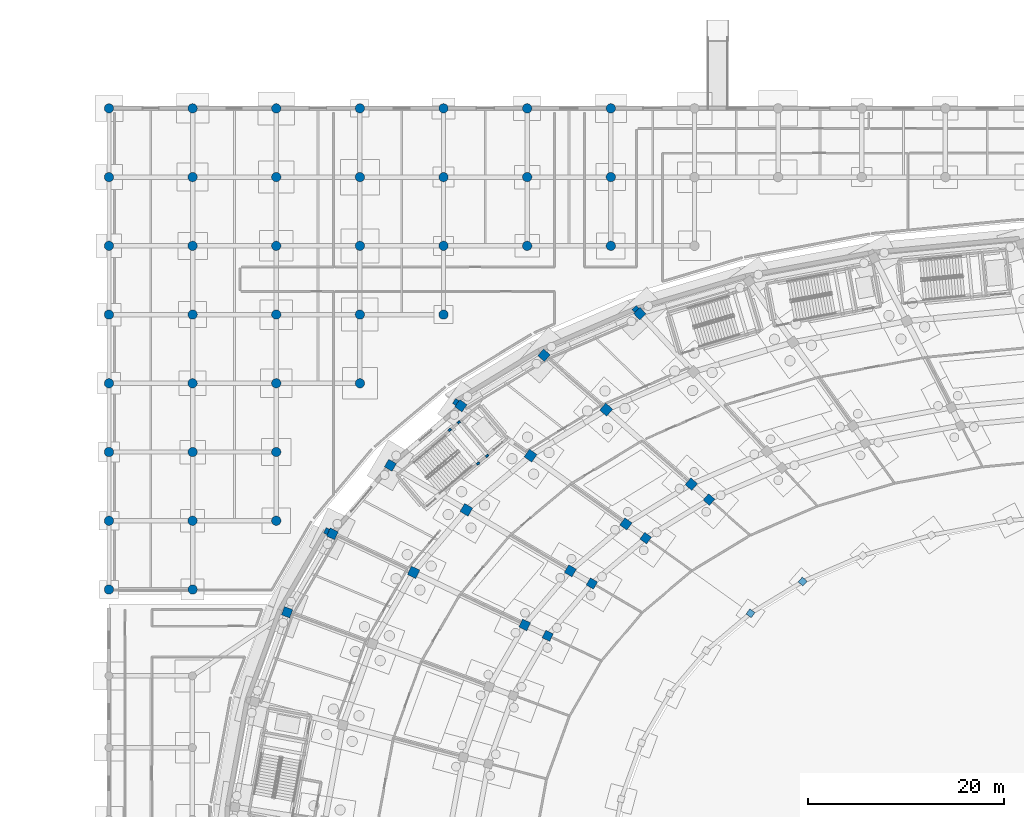
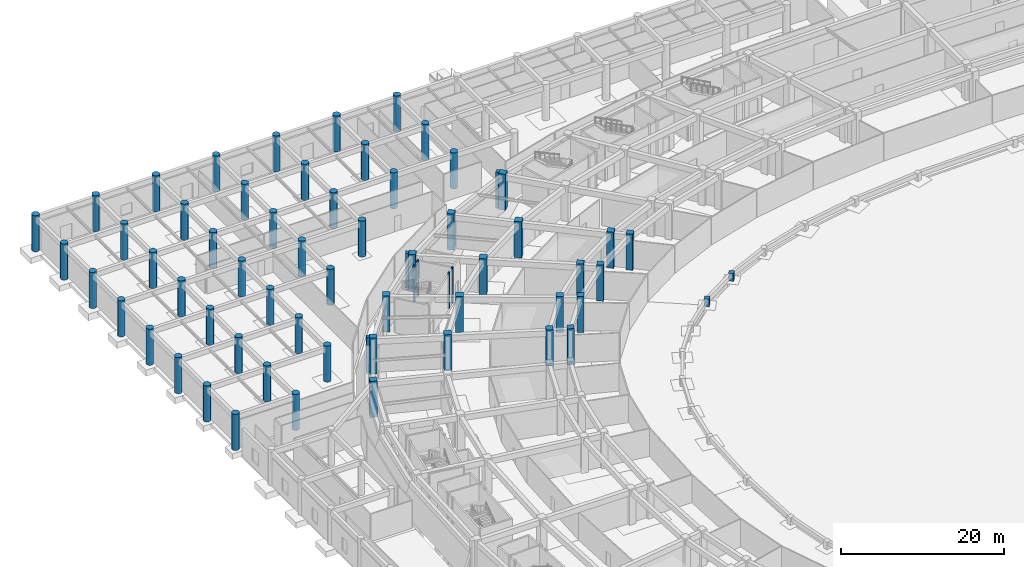
# One storey, part 21 of 88: 65 columns.
"""IFC4 building model written with IfcOpenShell, lengths in metres."""

from ifc_helpers import new_model, si_unit, direction, frame, origin, origin_2d, place, context, subcontext, project, spatial, rectangle, circle, extrude, material, material_profile, profile_set, type_object, element, save


model = new_model("IFC4")

# Units and contexts
model_context = context("Model", 3, precision=1e-05, world=origin(), true_north=direction((0.0, 1.0)))
body_context = subcontext(model_context, "Body", "Model", "MODEL_VIEW")
ifc_project = project(units=[si_unit("LENGTHUNIT", "METRE"), si_unit("AREAUNIT", "SQUARE_METRE"), si_unit("VOLUMEUNIT", "CUBIC_METRE"), si_unit("PLANEANGLEUNIT", "RADIAN"), si_unit("MASSUNIT", "GRAM", prefix="KILO")], contexts=[model_context])

# Site, building, storey
site_placement = place(None, origin())
site = spatial("IfcSite", under=ifc_project, at=site_placement, CompositionType="ELEMENT")
building_placement = place(site_placement, origin())
building = spatial("IfcBuilding", under=site, at=building_placement, Name="Mphavela Belvedere Stadium", CompositionType="ELEMENT")
storey_placement = place(building_placement, origin())
storey = spatial("IfcBuildingStorey", under=building, at=storey_placement, Name="L00", CompositionType="ELEMENT", Elevation=0.0)

# Columns
ifc_material_1 = material(Name="Concrete C40/50", Category="concrete")
ifc_material_profile_1 = material_profile(ifc_material_1, rectangle(XDim=0.300048828125, YDim=0.219970703125, at=origin_2d()), Name="RC 300x220")
ifc_profile_set_1 = profile_set([ifc_material_profile_1], Name="Concrete C40/50")
column_type_1 = type_object("IfcColumnType", Name="COL-CORE-POST-300", PredefinedType="COLUMN", material=ifc_profile_set_1)
for number, where, z_axis, x_axis, name in (
    (1, (37.5927734375, 137.838623046875, 0.0), (0.0, 0.0, 1.0), (0.764246456939, 0.644924300253, 0.0), "Core C05 stair frame column L00-1"),
    (2, (38.510009765625, 138.612548828125, 0.0), (0.0, 0.0, 1.0), (0.764246456939, 0.644924300253, 0.0), "Core C05 stair frame column L00-2"),
    (3, (35.627197265625, 142.02880859375, 0.0), (0.0, 0.0, 1.0), (0.764246456939, 0.644924300253, 0.0), "Core C05 stair frame column L00-3"),
    (4, (34.7099609375, 141.2548828125, 0.0), (0.0, 0.0, 1.0), (0.764246456939, 0.644924300253, 0.0), "Core C05 stair frame column L00-4"),
):
    element("IfcColumn", number, at=place(storey_placement, frame(where, z_axis=z_axis, x_axis=x_axis)), inside=storey, type_object=column_type_1, Name=name, PredefinedType="COLUMN", context=body_context, shape_type="SweptSolid", body=[
        extrude(rectangle(XDim=0.300048828125, YDim=0.219970703125, at=origin_2d()), origin(), (0.0, 0.0, 1.0), 5.39990234375),
    ])
ifc_material_2 = material(Name="Concrete C40/50", Category="concrete")
ifc_material_profile_2 = material_profile(ifc_material_2, circle(Radius=0.47509765625, at=origin_2d()), Name="COL D950")
ifc_profile_set_2 = profile_set([ifc_material_profile_2], Name="Concrete C40/50")
column_type_2 = type_object("IfcColumnType", Name="COL-DORIC-950", PredefinedType="COLUMN", material=ifc_profile_set_2)
for number, where, z_axis, x_axis, name in (
    (5, (0.0, 125.0, 0.0), (0.0, 0.0, 1.0), (1.0, 0.0, 0.0), "North Mast and Ceremonial End Forecourt classical column L00 1-1"),
    (6, (0.0, 132.0, 0.0), (0.0, 0.0, 1.0), (1.0, 0.0, 0.0), "North Mast and Ceremonial End Forecourt classical column L00 1-2"),
    (7, (0.0, 139.0, 0.0), (0.0, 0.0, 1.0), (1.0, 0.0, 0.0), "North Mast and Ceremonial End Forecourt classical column L00 1-3"),
    (8, (0.0, 146.0, 0.0), (0.0, 0.0, 1.0), (1.0, 0.0, 0.0), "North Mast and Ceremonial End Forecourt classical column L00 1-4"),
    (9, (0.0, 153.0, 0.0), (0.0, 0.0, 1.0), (1.0, 0.0, 0.0), "North Mast and Ceremonial End Forecourt classical column L00 1-5"),
    (10, (0.0, 160.0, 0.0), (0.0, 0.0, 1.0), (1.0, 0.0, 0.0), "North Mast and Ceremonial End Forecourt classical column L00 1-6"),
    (11, (0.0, 167.0, 0.0), (0.0, 0.0, 1.0), (1.0, 0.0, 0.0), "North Mast and Ceremonial End Forecourt classical column L00 1-7"),
    (12, (0.0, 174.0, 0.0), (0.0, 0.0, 1.0), (1.0, 0.0, 0.0), "North Mast and Ceremonial End Forecourt classical column L00 1-8"),
    (13, (8.51904296875, 125.0, 0.0), (0.0, 0.0, 1.0), (1.0, 0.0, 0.0), "North Mast and Ceremonial End Forecourt classical column L00 2-1"),
    (14, (8.51904296875, 132.0, 0.0), (0.0, 0.0, 1.0), (1.0, 0.0, 0.0), "North Mast and Ceremonial End Forecourt classical column L00 2-2"),
    (15, (8.51904296875, 139.0, 0.0), (0.0, 0.0, 1.0), (1.0, 0.0, 0.0), "North Mast and Ceremonial End Forecourt classical column L00 2-3"),
    (16, (8.51904296875, 146.0, 0.0), (0.0, 0.0, 1.0), (1.0, 0.0, 0.0), "North Mast and Ceremonial End Forecourt classical column L00 2-4"),
    (17, (8.51904296875, 153.0, 0.0), (0.0, 0.0, 1.0), (1.0, 0.0, 0.0), "North Mast and Ceremonial End Forecourt classical column L00 2-5"),
    (18, (8.51904296875, 160.0, 0.0), (0.0, 0.0, 1.0), (1.0, 0.0, 0.0), "North Mast and Ceremonial End Forecourt classical column L00 2-6"),
    (19, (8.51904296875, 167.0, 0.0), (0.0, 0.0, 1.0), (1.0, 0.0, 0.0), "North Mast and Ceremonial End Forecourt classical column L00 2-7"),
    (20, (8.51904296875, 174.0, 0.0), (0.0, 0.0, 1.0), (1.0, 0.0, 0.0), "North Mast and Ceremonial End Forecourt classical column L00 2-8"),
    (21, (17.037109375, 132.0, 0.0), (0.0, 0.0, 1.0), (1.0, 0.0, 0.0), "North Mast and Ceremonial End Forecourt classical column L00 3-2"),
    (22, (17.037109375, 139.0, 0.0), (0.0, 0.0, 1.0), (1.0, 0.0, 0.0), "North Mast and Ceremonial End Forecourt classical column L00 3-3"),
    (23, (17.037109375, 146.0, 0.0), (0.0, 0.0, 1.0), (1.0, 0.0, 0.0), "North Mast and Ceremonial End Forecourt classical column L00 3-4"),
    (24, (17.037109375, 153.0, 0.0), (0.0, 0.0, 1.0), (1.0, 0.0, 0.0), "North Mast and Ceremonial End Forecourt classical column L00 3-5"),
    (25, (17.037109375, 160.0, 0.0), (0.0, 0.0, 1.0), (1.0, 0.0, 0.0), "North Mast and Ceremonial End Forecourt classical column L00 3-6"),
    (26, (17.037109375, 167.0, 0.0), (0.0, 0.0, 1.0), (1.0, 0.0, 0.0), "North Mast and Ceremonial End Forecourt classical column L00 3-7"),
    (27, (17.037109375, 174.0, 0.0), (0.0, 0.0, 1.0), (1.0, 0.0, 0.0), "North Mast and Ceremonial End Forecourt classical column L00 3-8"),
    (28, (25.555908203125, 146.0, 0.0), (0.0, 0.0, 1.0), (1.0, 0.0, 0.0), "North Mast and Ceremonial End Forecourt classical column L00 4-4"),
    (29, (25.555908203125, 153.0, 0.0), (0.0, 0.0, 1.0), (1.0, 0.0, 0.0), "North Mast and Ceremonial End Forecourt classical column L00 4-5"),
    (30, (25.555908203125, 160.0, 0.0), (0.0, 0.0, 1.0), (1.0, 0.0, 0.0), "North Mast and Ceremonial End Forecourt classical column L00 4-6"),
    (31, (25.555908203125, 167.0, 0.0), (0.0, 0.0, 1.0), (1.0, 0.0, 0.0), "North Mast and Ceremonial End Forecourt classical column L00 4-7"),
    (32, (25.555908203125, 174.0, 0.0), (0.0, 0.0, 1.0), (1.0, 0.0, 0.0), "North Mast and Ceremonial End Forecourt classical column L00 4-8"),
    (33, (34.073974609375, 153.0, 0.0), (0.0, 0.0, 1.0), (1.0, 0.0, 0.0), "North Mast and Ceremonial End Forecourt classical column L00 5-5"),
    (34, (34.073974609375, 160.0, 0.0), (0.0, 0.0, 1.0), (1.0, 0.0, 0.0), "North Mast and Ceremonial End Forecourt classical column L00 5-6"),
    (35, (34.073974609375, 167.0, 0.0), (0.0, 0.0, 1.0), (1.0, 0.0, 0.0), "North Mast and Ceremonial End Forecourt classical column L00 5-7"),
    (36, (34.073974609375, 174.0, 0.0), (0.0, 0.0, 1.0), (1.0, 0.0, 0.0), "North Mast and Ceremonial End Forecourt classical column L00 5-8"),
    (37, (42.593017578125, 160.0, 0.0), (0.0, 0.0, 1.0), (1.0, 0.0, 0.0), "North Mast and Ceremonial End Forecourt classical column L00 6-6"),
    (38, (42.593017578125, 167.0, 0.0), (0.0, 0.0, 1.0), (1.0, 0.0, 0.0), "North Mast and Ceremonial End Forecourt classical column L00 6-7"),
    (39, (42.593017578125, 174.0, 0.0), (0.0, 0.0, 1.0), (1.0, 0.0, 0.0), "North Mast and Ceremonial End Forecourt classical column L00 6-8"),
    (40, (51.111083984375, 160.0, 0.0), (0.0, 0.0, 1.0), (1.0, 0.0, 0.0), "North Mast and Ceremonial End Forecourt classical column L00 7-6"),
    (41, (51.111083984375, 167.0, 0.0), (0.0, 0.0, 1.0), (1.0, 0.0, 0.0), "North Mast and Ceremonial End Forecourt classical column L00 7-7"),
    (42, (51.111083984375, 174.0, 0.0), (0.0, 0.0, 1.0), (1.0, 0.0, 0.0), "North Mast and Ceremonial End Forecourt classical column L00 7-8"),
):
    element("IfcColumn", number, at=place(storey_placement, frame(where, z_axis=z_axis, x_axis=x_axis)), inside=storey, type_object=column_type_2, Name=name, PredefinedType="COLUMN", context=body_context, shape_type="SweptSolid", body=[
        extrude(circle(Radius=0.47509765625, at=origin_2d()), origin(), (0.0, 0.0, 1.0), 5.39990234375),
    ])
ifc_material_3 = material(Name="Concrete C40/50", Category="concrete")
ifc_material_profile_3 = material_profile(ifc_material_3, rectangle(XDim=0.64990234375, YDim=0.64990234375, at=origin_2d()), Name="RC 650x650")
ifc_profile_set_3 = profile_set([ifc_material_profile_3], Name="Concrete C40/50")
column_type_3 = type_object("IfcColumnType", Name="COL-RC650", PredefinedType="COLUMN", material=ifc_profile_set_3)
for number, where, z_axis, x_axis, name in (
    (43, (70.648193359375, 125.80908203125, 0.0), (0.0, 0.0, 1.0), (-0.752529860433, 0.658558128912, 0.0), "Lower tier plinth column 18"),
    (44, (65.341064453125, 122.580322265625, 0.0), (0.0, 0.0, 1.0), (-0.812897512265, 0.582406760395, 0.0), "Lower tier plinth column 19"),
):
    element("IfcColumn", number, at=place(storey_placement, frame(where, z_axis=z_axis, x_axis=x_axis)), inside=storey, type_object=column_type_3, Name=name, PredefinedType="COLUMN", context=body_context, shape_type="SweptSolid", body=[
        extrude(rectangle(XDim=0.64990234375, YDim=0.64990234375, at=origin_2d()), origin(), (0.0, 0.0, 1.0), 1.14990234375),
    ])
ifc_material_4 = material(Name="Concrete C40/50", Category="concrete")
ifc_material_profile_4 = material_profile(ifc_material_4, rectangle(XDim=0.85009765625, YDim=0.85009765625, at=origin_2d()), Name="RC 850x850")
ifc_profile_set_4 = profile_set([ifc_material_profile_4], Name="Concrete C40/50")
column_type_4 = type_object("IfcColumnType", Name="COL-RC850", PredefinedType="COLUMN", material=ifc_profile_set_4)
for number, where, z_axis, x_axis, name in (
    (45, (61.11083984375, 134.154296875, 0.0), (0.0, 0.0, 1.0), (-0.752529860433, 0.658558128912, 0.0), "Inner concourse column L00 R1-18"),
    (46, (54.66259765625, 130.2314453125, 0.0), (0.0, 0.0, 1.0), (-0.812897512265, 0.582406760395, 0.0), "Inner concourse column L00 R1-19"),
    (47, (49.1875, 125.611328125, 0.0), (0.0, 0.0, 1.0), (-0.862513669207, 0.506033764121, 0.0), "Inner concourse column L00 R1-20"),
    (48, (44.68701171875, 120.281494140625, 0.0), (0.0, 0.0, 1.0), (-0.903858661687, 0.4278311813, 0.0), "Inner concourse column L00 R1-21"),
):
    element("IfcColumn", number, at=place(storey_placement, frame(where, z_axis=z_axis, x_axis=x_axis)), inside=storey, type_object=column_type_4, Name=name, PredefinedType="COLUMN", context=body_context, shape_type="SweptSolid", body=[
        extrude(rectangle(XDim=0.85009765625, YDim=0.85009765625, at=origin_2d()), origin(), (0.0, 0.0, 1.0), 5.39990234375),
    ])
ifc_material_5 = material(Name="Concrete C40/50", Category="concrete")
ifc_material_profile_5 = material_profile(ifc_material_5, rectangle(XDim=0.89990234375, YDim=0.89990234375, at=origin_2d()), Name="RC 900x900")
ifc_profile_set_5 = profile_set([ifc_material_profile_5], Name="Concrete C40/50")
column_type_5 = type_object("IfcColumnType", Name="COL-RC900", PredefinedType="COLUMN", material=ifc_profile_set_5)
for number, where, z_axis, x_axis, name in (
    (49, (54.0625, 153.09130859375, 0.0), (0.0, 0.0, 1.0), (-0.677903094969, 0.735151272753, 0.0), "Outer colonnade column L00 R4-17"),
    (50, (59.31005859375, 135.72998046875, 0.0), (0.0, 0.0, 1.0), (-0.752529860433, 0.658558128912, 0.0), "Middle concourse column L00 R2-18"),
    (51, (44.3037109375, 148.86083984375, 0.0), (0.0, 0.0, 1.0), (-0.752529860433, 0.658558128912, 0.0), "Outer colonnade column L00 R4-18"),
    (52, (52.646240234375, 131.676025390625, 0.0), (0.0, 0.0, 1.0), (-0.812897512265, 0.582406760395, 0.0), "Middle concourse column L00 R2-19"),
    (53, (35.844482421875, 143.714599609375, 0.0), (0.0, 0.0, 1.0), (-0.812897512265, 0.582406760395, 0.0), "Outer colonnade column L00 R4-19"),
    (54, (46.98828125, 126.901611328125, 0.0), (0.0, 0.0, 1.0), (-0.862513669207, 0.506033764121, 0.0), "Middle concourse column L00 R2-20"),
    (55, (28.66162109375, 137.653564453125, 0.0), (0.0, 0.0, 1.0), (-0.862513669207, 0.506033764121, 0.0), "Outer colonnade column L00 R4-20"),
    (56, (42.33740234375, 121.393798828125, 0.0), (0.0, 0.0, 1.0), (-0.903858661687, 0.4278311813, 0.0), "Middle concourse column L00 R2-21"),
    (57, (22.757568359375, 130.66162109375, 0.0), (0.0, 0.0, 1.0), (-0.903858661687, 0.4278311813, 0.0), "Outer colonnade column L00 R4-21"),
    (58, (18.143798828125, 122.682373046875, 0.0), (0.0, 0.0, 1.0), (-0.938372433776, 0.34562577382, 0.0), "Outer colonnade column L00 R4-22"),
):
    element("IfcColumn", number, at=place(storey_placement, frame(where, z_axis=z_axis, x_axis=x_axis)), inside=storey, type_object=column_type_5, Name=name, PredefinedType="COLUMN", context=body_context, shape_type="SweptSolid", body=[
        extrude(rectangle(XDim=0.89990234375, YDim=0.89990234375, at=origin_2d()), origin(), (0.0, 0.0, 1.0), 5.39990234375),
    ])
ifc_material_6 = material(Name="Concrete C40/50", Category="concrete")
ifc_material_profile_6 = material_profile(ifc_material_6, rectangle(XDim=0.949951171875, YDim=0.949951171875, at=origin_2d()), Name="RC 950x950")
ifc_profile_set_6 = profile_set([ifc_material_profile_6], Name="Concrete C40/50")
column_type_6 = type_object("IfcColumnType", Name="COL-RC950", PredefinedType="COLUMN", material=ifc_profile_set_6)
for number, where, z_axis, x_axis, name in (
    (59, (50.639892578125, 143.31689453125, 0.0), (0.0, 0.0, 1.0), (-0.752529860433, 0.658558128912, 0.0), "Main bowl column L00 R3-18"),
    (60, (42.938720703125, 138.631591796875, 0.0), (0.0, 0.0, 1.0), (-0.812897512265, 0.582406760395, 0.0), "Main bowl column L00 R3-19"),
    (61, (36.399658203125, 133.11376953125, 0.0), (0.0, 0.0, 1.0), (-0.862513669207, 0.506033764121, 0.0), "Main bowl column L00 R3-20"),
    (62, (31.0244140625, 126.748291015625, 0.0), (0.0, 0.0, 1.0), (-0.903858661687, 0.4278311813, 0.0), "Main bowl column L00 R3-21"),
):
    element("IfcColumn", number, at=place(storey_placement, frame(where, z_axis=z_axis, x_axis=x_axis)), inside=storey, type_object=column_type_6, Name=name, PredefinedType="COLUMN", context=body_context, shape_type="SweptSolid", body=[
        extrude(rectangle(XDim=0.949951171875, YDim=0.949951171875, at=origin_2d()), origin(), (0.0, 0.0, 1.0), 5.39990234375),
    ])
ifc_material_7 = material(Name="Concrete C40/50", Category="concrete")
ifc_material_profile_7 = material_profile(ifc_material_7, rectangle(XDim=0.60009765625, YDim=0.39990234375, at=origin_2d()), Name="PIL 600x400")
ifc_profile_set_7 = profile_set([ifc_material_profile_7], Name="Concrete C40/50")
column_type_7 = type_object("IfcColumnType", Name="PIL-FLUTED-600", PredefinedType="PILASTER", material=ifc_profile_set_7)
for number, where, z_axis, x_axis, name in (
    (63, (53.61962890625, 153.5712890625, 0.0), (0.0, 0.0, 1.0), (-0.735151272753, -0.677903094969, 0.0), "Fluted classical pilaster L00-17"),
    (64, (35.313720703125, 144.0947265625, 0.0), (0.0, 0.0, 1.0), (-0.582406760395, -0.812897512265, 0.0), "Fluted classical pilaster L00-19"),
    (65, (22.167236328125, 130.94091796875, 0.0), (0.0, 0.0, 1.0), (-0.4278311813, -0.903858661687, 0.0), "Fluted classical pilaster L00-21"),
):
    element("IfcColumn", number, at=place(storey_placement, frame(where, z_axis=z_axis, x_axis=x_axis)), inside=storey, type_object=column_type_7, Name=name, PredefinedType="PILASTER", context=body_context, shape_type="SweptSolid", body=[
        extrude(rectangle(XDim=0.60009765625, YDim=0.39990234375, at=origin_2d()), origin(), (0.0, 0.0, 1.0), 5.39990234375),
    ])

save(model, "model.ifc")
